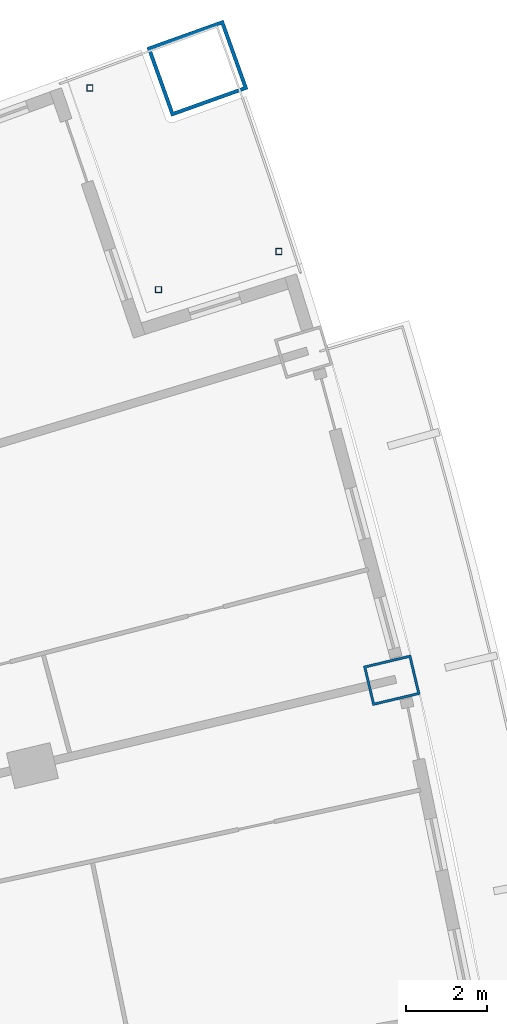
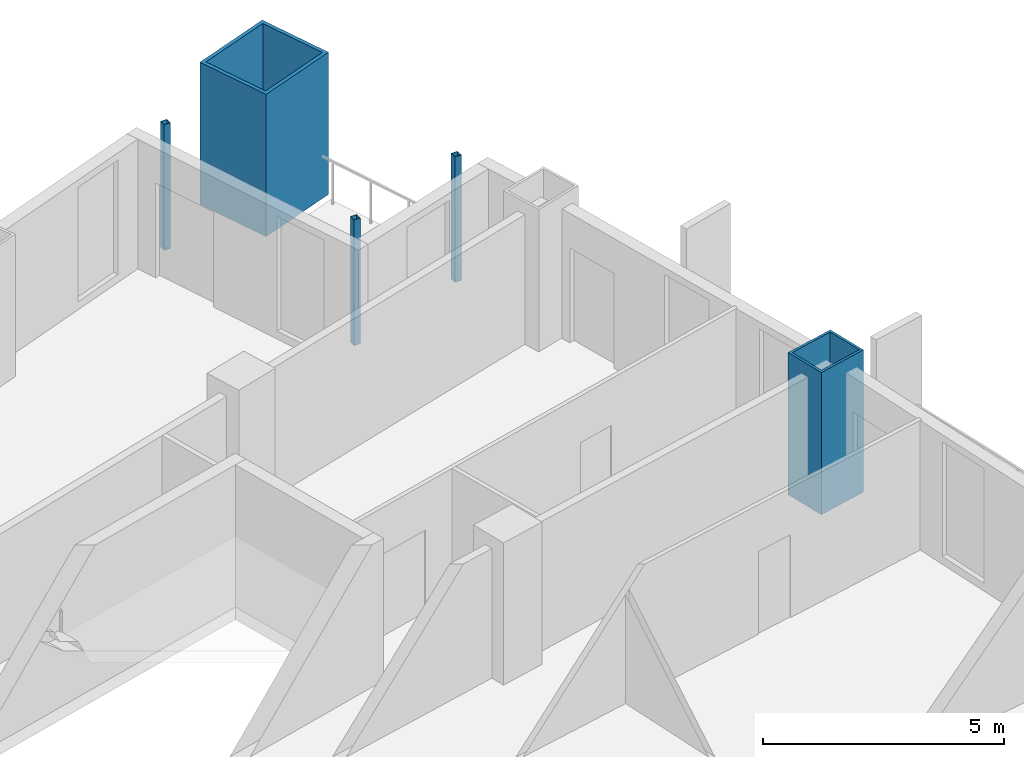
# One storey, part 11 of 25: 5 columns.
"""IFC4 building model written with IfcOpenShell, lengths in metres."""

import ifcopenshell
import ifcopenshell.guid

model = None  # the IFC model being written
_history = None  # IfcOwnerHistory: only IFC2X3 demands one
_inside = {}  # id of a spatial element -> (the spatial element, [elements in it])
_under = {}  # id of a project, library or spatial element -> (it, [spatial elements below it])
_declared = {}  # id of a project -> (the project, [libraries it declares])
_typed = {}  # id of a type object -> (the type object, [elements of that type])
_made_of = {}  # id of a material, layer set ... -> (it, [elements and type objects made of it])


def new_model(schema):
    """Start an empty IFC model of exactly this schema.

    Asked for "IFC4X3", IfcOpenShell would pick the latest addendum, in which some entities
    have other attributes; the version numbers below select the first issue.
    IFC2X3 requires an IfcOwnerHistory on every rooted entity: one is made here for all.
    """
    global model, _history
    if schema == "IFC4X3":
        model = ifcopenshell.file(schema_version=(4, 3, 0, 0))
    else:
        model = ifcopenshell.file(schema=schema)
    _inside.clear()
    _under.clear()
    _declared.clear()
    _typed.clear()
    _made_of.clear()
    _history = None
    if model.schema == "IFC2X3":
        org = make("IfcOrganization", Name="unknown")
        user = make(
            "IfcPersonAndOrganization",
            ThePerson=make("IfcPerson", FamilyName="unknown"),
            TheOrganization=org,
        )
        app = make(
            "IfcApplication",
            ApplicationDeveloper=org,
            Version="unknown",
            ApplicationFullName="unknown",
            ApplicationIdentifier="unknown",
        )
        _history = make(
            "IfcOwnerHistory",
            OwningUser=user,
            OwningApplication=app,
            ChangeAction="ADDED",
            CreationDate=0,
        )
    return model


def make(cls, **values):
    """One entity of the class cls with the attributes given. An attribute that is None is left unset."""
    return model.create_entity(
        cls, **{name: value for name, value in values.items() if value is not None}
    )


def rooted(cls, **values):
    """An entity with a GlobalId (a new one), such as an element, a storey or a relation."""
    return make(cls, GlobalId=ifcopenshell.guid.new(), OwnerHistory=_history, **values)


def si_unit(unit_type, name, prefix=None):
    """IfcSIUnit, for example si_unit("LENGTHUNIT", "METRE", prefix="MILLI")."""
    return make("IfcSIUnit", UnitType=unit_type, Prefix=prefix, Name=name)


def assignment(units):
    """IfcUnitAssignment: the units of a project."""
    return None if units is None else make("IfcUnitAssignment", Units=units)


def point(xyz):
    """IfcCartesianPoint."""
    return None if xyz is None else make("IfcCartesianPoint", Coordinates=xyz)


def direction(xyz):
    """IfcDirection."""
    return None if xyz is None else make("IfcDirection", DirectionRatios=xyz)


def frame(location, z_axis=None, x_axis=None):
    """IfcAxis2Placement3D, a coordinate frame: its origin and axes. An axis left out is left unset."""
    return make(
        "IfcAxis2Placement3D",
        Location=point(location),
        Axis=direction(z_axis),
        RefDirection=direction(x_axis),
    )


def frame_2d(location, x_axis=None):
    """IfcAxis2Placement2D, a coordinate frame in the plane: its origin and x axis."""
    return make(
        "IfcAxis2Placement2D", Location=point(location), RefDirection=direction(x_axis)
    )


def origin():
    """The frame at (0, 0, 0) with its axes left unset."""
    return frame((0.0, 0.0, 0.0))


def origin_2d():
    """The frame at (0, 0) in the plane with its x axis left unset."""
    return frame_2d((0.0, 0.0))


def place(relative_to, where):
    """IfcLocalPlacement: puts the frame where relative to a parent placement (None: the world)."""
    return make(
        "IfcLocalPlacement", PlacementRelTo=relative_to, RelativePlacement=where
    )


def context(
    kind, dimensions, precision=None, world=None, true_north=None, identifier=None
):
    """IfcGeometricRepresentationContext, for example the 3D "Model" context."""
    return make(
        "IfcGeometricRepresentationContext",
        ContextIdentifier=identifier,
        ContextType=kind,
        CoordinateSpaceDimension=dimensions,
        Precision=precision,
        WorldCoordinateSystem=world,
        TrueNorth=true_north,
    )


def subcontext(parent, identifier, kind, view, scale=None):
    """IfcGeometricRepresentationSubContext, for example "Body" below "Model"."""
    return make(
        "IfcGeometricRepresentationSubContext",
        ContextIdentifier=identifier,
        ContextType=kind,
        ParentContext=parent,
        TargetScale=scale,
        TargetView=view,
    )


def project(units=None, contexts=None):
    """IfcProject with its units and contexts."""
    return rooted(
        "IfcProject",
        Name="project",
        RepresentationContexts=contexts,
        UnitsInContext=assignment(units),
    )


def spatial(cls, under=None, at=None, **own):
    """A site, building, storey or space (cls), placed at a placement, below another one or the project."""
    s = rooted(cls, ObjectPlacement=at, **own)
    if under is not None:
        _under.setdefault(under.id(), (under, []))[1].append(s)
    return s


def profile(cls, at=None, kind="AREA", **sizes):
    """A parametric profile (cls). Its sizes go by their IFC names, for example OverallWidth=200.0."""
    return make(cls, ProfileType=kind, Position=at, **sizes)


def hollow_rectangle(**sizes):
    """IfcRectangleHollowProfileDef."""
    return profile("IfcRectangleHollowProfileDef", **sizes)


def extrude(swept, where, along, depth):
    """IfcExtrudedAreaSolid: the profile swept, set in the frame where, extruded along a direction by depth."""
    return make(
        "IfcExtrudedAreaSolid",
        SweptArea=swept,
        Position=where,
        ExtrudedDirection=direction(along),
        Depth=depth,
    )


def shape(context_of_items, identifier, shape_type, items):
    """IfcShapeRepresentation: the items that make up one representation, for example the "Body"."""
    return make(
        "IfcShapeRepresentation",
        ContextOfItems=context_of_items,
        RepresentationIdentifier=identifier,
        RepresentationType=shape_type,
        Items=items,
    )


def material(Name=None, Category=None):
    """IfcMaterial."""
    return make("IfcMaterial", Name=Name, Category=Category)


def material_profile(
    of_material, cross_section, Name=None, Category=None, Priority=None
):
    """IfcMaterialProfile: a cross section and its material."""
    return make(
        "IfcMaterialProfile",
        Name=Name,
        Material=of_material,
        Profile=cross_section,
        Priority=Priority,
        Category=Category,
    )


def profile_set(profiles, Name=None, composite=None):
    """IfcMaterialProfileSet."""
    return make(
        "IfcMaterialProfileSet",
        Name=Name,
        MaterialProfiles=profiles,
        CompositeProfile=composite,
    )


def made_of(thing, what):
    """Note that an element or type object is made of a material, layer set ...; save() writes the relation."""
    if what is not None:
        _made_of.setdefault(what.id(), (what, []))[1].append(thing)
    return thing


def type_object(cls, material=None, **own):
    """A type object (cls), such as IfcWallType, which elements share."""
    return made_of(rooted(cls, **own), material)


def element(
    cls,
    number,
    at=None,
    inside=None,
    cuts=None,
    type_object=None,
    material=None,
    context=None,
    identifier="Body",
    shape_type=None,
    held_by="IfcProductDefinitionShape",
    body=None,
    shapes=None,
    **own,
):
    """One element of the class cls, such as IfcWall. Its Tag is "e" and its number.

    at: its placement. inside: the storey or other place that contains it. cuts: it is an
    opening in that element (IfcRelVoidsElement). A single representation is given by context,
    identifier, shape_type and body (its items); several are given by shapes. held_by: the class
    of the entity that holds the representations. save() writes the other relations.
    """
    e = rooted(cls, Tag="e%d" % number, ObjectPlacement=at, **own)
    if body is not None:
        shapes = [shape(context, identifier, shape_type, body)]
    if shapes is not None:
        e.Representation = make(held_by, Representations=shapes)
    if inside is not None:
        _inside.setdefault(inside.id(), (inside, []))[1].append(e)
    if cuts is not None:
        rooted(
            "IfcRelVoidsElement", RelatingBuildingElement=cuts, RelatedOpeningElement=e
        )
    if type_object is not None:
        _typed.setdefault(type_object.id(), (type_object, []))[1].append(e)
    return made_of(e, material)


def aggregate(whole, parts):
    """IfcRelAggregates: a whole, such as a stair, and the parts it consists of."""
    return rooted("IfcRelAggregates", RelatingObject=whole, RelatedObjects=parts)


def save(model, path):
    """Write the relations noted so far, then the file.

    IfcRelAggregates (storeys below a building ...), IfcRelContainedInSpatialStructure (elements
    in a storey), IfcRelDefinesByType, IfcRelAssociatesMaterial and IfcRelDeclares: one each for
    every whole, place, type object, material and project.
    """
    for whole, parts in _under.values():
        aggregate(whole, parts)
    for where, things in _inside.values():
        rooted(
            "IfcRelContainedInSpatialStructure",
            RelatedElements=things,
            RelatingStructure=where,
        )
    for kind, things in _typed.values():
        rooted("IfcRelDefinesByType", RelatedObjects=things, RelatingType=kind)
    for what, things in _made_of.values():
        rooted("IfcRelAssociatesMaterial", RelatedObjects=things, RelatingMaterial=what)
    for by, libraries in _declared.values():
        rooted("IfcRelDeclares", RelatingContext=by, RelatedDefinitions=libraries)
    model.write(path)


model = new_model("IFC4")

# Units and contexts
model_context = context("Model", 3, precision=1e-05, world=origin(), true_north=direction((0.0, 1.0)))
body_context = subcontext(model_context, "Body", "Model", "MODEL_VIEW")
ifc_project = project(units=[si_unit("LENGTHUNIT", "METRE"), si_unit("AREAUNIT", "SQUARE_METRE"), si_unit("VOLUMEUNIT", "CUBIC_METRE"), si_unit("PLANEANGLEUNIT", "RADIAN"), si_unit("MASSUNIT", "GRAM", prefix="KILO")], contexts=[model_context])

# Site, building, storey
site_placement = place(None, origin())
site = spatial("IfcSite", under=ifc_project, at=site_placement, CompositionType="ELEMENT")
building_placement = place(site_placement, origin())
building = spatial("IfcBuilding", under=site, at=building_placement, Name="Alderwake Tower", CompositionType="ELEMENT")
storey_placement = place(building_placement, frame((0.0, 0.0, 46.39990234375)))
storey = spatial("IfcBuildingStorey", under=building, at=storey_placement, Name="L10", CompositionType="ELEMENT", Elevation=46.39990234375)

# Columns
ifc_material_1 = material(Name="Steel ASTM A500 Grade C", Category="steel")
ifc_material_profile_1 = material_profile(ifc_material_1, hollow_rectangle(XDim=0.15234375, YDim=0.15234375, WallThickness=0.0087890625, at=origin_2d()), Name="HSS6X6X3/8")
ifc_profile_set_1 = profile_set([ifc_material_profile_1], Name="Steel ASTM A500 Grade C")
column_type_1 = type_object("IfcColumnType", Name="Light post HSS6X6X3/8", PredefinedType="COLUMN", material=ifc_profile_set_1)
for number, where, z_axis, x_axis, name in (
    (1, (56.35302734375, 104.58642578125, 0.0), (0.0, 0.0, 1.0), (1.0, 0.0, 0.0), "Terrace post FN1"),
    (2, (51.712890625, 108.599853515625, 0.0), (0.0, 0.0, 1.0), (1.0, 0.0, 0.0), "Terrace post FN2"),
    (3, (53.397216796875, 103.65185546875, 0.0), (0.0, 0.0, 1.0), (1.0, 0.0, 0.0), "Terrace post FN3"),
):
    element("IfcColumn", number, at=place(storey_placement, frame(where, z_axis=z_axis, x_axis=x_axis)), inside=storey, type_object=column_type_1, Name=name, PredefinedType="COLUMN", context=body_context, shape_type="SweptSolid", body=[
        extrude(hollow_rectangle(XDim=0.15234375, YDim=0.15234375, WallThickness=0.0087890625, at=origin_2d()), origin(), (0.0, 0.0, 1.0), 3.18017578125),
    ])
ifc_material_2 = material(Name="Steel ASTM A572 Grade 50 concrete filled C70/85", Category="concrete")
ifc_material_profile_2 = material_profile(ifc_material_2, hollow_rectangle(XDim=1.800048828125, YDim=2.0, WallThickness=0.090087890625, at=origin_2d()), Name="BOX 2000X1800X90")
ifc_profile_set_2 = profile_set([ifc_material_profile_2], Name="Steel ASTM A572 Grade 50 concrete filled C70/85")
column_type_2 = type_object("IfcColumnType", Name="Mega column Z1", PredefinedType="COLUMN", material=ifc_profile_set_2)
column_1_placement = place(storey_placement, frame((54.353759765625, 109.0869140625, 0.0), z_axis=(0.0, 0.0, 1.0), x_axis=(-0.336978590333, 0.941512309881, 0.0)))
element("IfcColumn", 4, at=column_1_placement, inside=storey, type_object=column_type_2, Name="Column R13-C5", PredefinedType="COLUMN", context=body_context, shape_type="SweptSolid", body=[
    extrude(hollow_rectangle(XDim=1.800048828125, YDim=2.0, WallThickness=0.090087890625, at=origin_2d()), origin(), (0.0, 0.0, 1.0), 3.60009765625),
])
ifc_material_3 = material(Name="Steel ASTM A572 Grade 50 concrete filled C70/85", Category="concrete")
ifc_material_profile_3 = material_profile(ifc_material_3, hollow_rectangle(XDim=1.0, YDim=1.199951171875, WallThickness=0.06005859375, at=origin_2d()), Name="BOX 1200X1000X60")
ifc_profile_set_3 = profile_set([ifc_material_profile_3], Name="Steel ASTM A572 Grade 50 concrete filled C70/85")
column_type_3 = type_object("IfcColumnType", Name="Perimeter column Z1", PredefinedType="COLUMN", material=ifc_profile_set_3)
column_2_placement = place(storey_placement, frame((59.125, 94.064697265625, 0.0), z_axis=(0.0, 0.0, 1.0), x_axis=(-0.231221547198, 0.972901123502, 0.0)))
element("IfcColumn", 5, at=column_2_placement, inside=storey, type_object=column_type_3, Name="Column R11-C5", PredefinedType="COLUMN", context=body_context, shape_type="SweptSolid", body=[
    extrude(hollow_rectangle(XDim=1.0, YDim=1.199951171875, WallThickness=0.06005859375, at=origin_2d()), origin(), (0.0, 0.0, 1.0), 3.60009765625),
])

save(model, "model.ifc")
